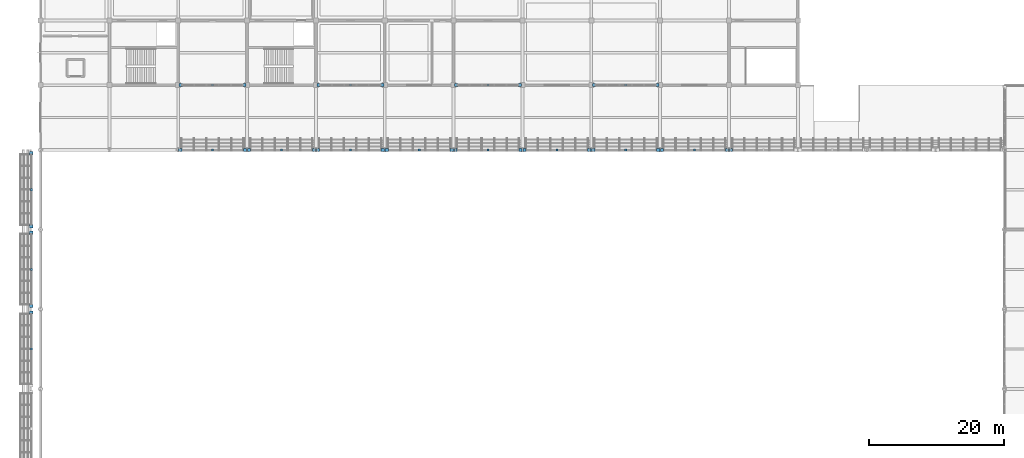
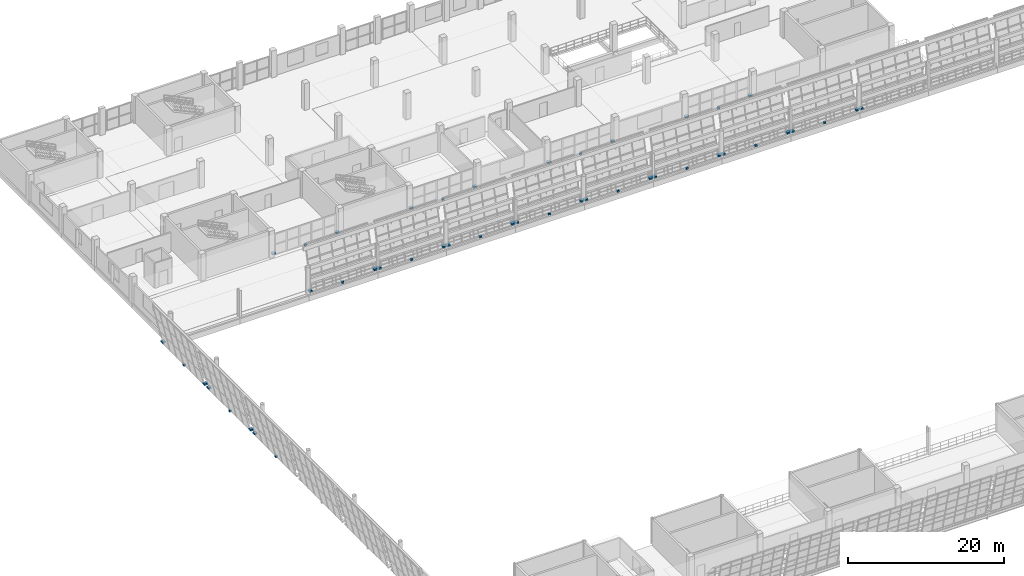
# One storey, part 138 of 157: 45 discrete accessories.
"""IFC4 building model written with IfcOpenShell, lengths in metres."""

from ifc_helpers import new_model, si_unit, direction, frame, origin, origin_2d, place, context, subcontext, project, spatial, rectangle, extrude, material, type_object, element, save


model = new_model("IFC4")

# Units and contexts
model_context = context("Model", 3, precision=1e-05, world=origin(), true_north=direction((0.0, 1.0)))
body_context = subcontext(model_context, "Body", "Model", "MODEL_VIEW")
ifc_project = project(units=[si_unit("LENGTHUNIT", "METRE"), si_unit("AREAUNIT", "SQUARE_METRE"), si_unit("VOLUMEUNIT", "CUBIC_METRE"), si_unit("PLANEANGLEUNIT", "RADIAN"), si_unit("MASSUNIT", "GRAM", prefix="KILO")], contexts=[model_context])

# Site, building, storey
site_placement = place(None, origin())
site = spatial("IfcSite", under=ifc_project, at=site_placement, CompositionType="ELEMENT")
building_placement = place(site_placement, origin())
building = spatial("IfcBuilding", under=site, at=building_placement, Name="Brelvane Convention Centre", CompositionType="ELEMENT")
storey_placement = place(building_placement, frame((0.0, 0.0, 10.800048828125)))
storey = spatial("IfcBuildingStorey", under=building, at=storey_placement, Name="L02", CompositionType="ELEMENT", Elevation=10.800048828125)

# Discrete accessories
ifc_material = material(Name="Steel E350 (350 MPa)", Category="steel")
discrete_accessory_type = type_object("IfcDiscreteAccessoryType", Name="Facade Outrigger Bracket BRK-02", PredefinedType="BRACKET", material=ifc_material)
discrete_accessory_1_placement = place(storey_placement, frame((-1.360107421875, 75.510009765625, 0.22998046875), z_axis=(0.0, 0.0, 1.0), x_axis=(1.0, 0.0, 0.0)))
element("IfcDiscreteAccessory", 1, at=discrete_accessory_1_placement, inside=storey, type_object=discrete_accessory_type, Name="Curtain Wall Anchor Bracket L02-HULL-W-L02-4-R", PredefinedType="BRACKET", context=body_context, shape_type="SweptSolid", body=[
    extrude(rectangle(XDim=0.47998046875, YDim=0.47998046875, at=origin_2d()), origin(), (0.0, 0.0, 1.0), 0.239990234375),
])
discrete_accessory_2_placement = place(storey_placement, frame((-1.360107421875, 70.10009765625, -0.14013671875), z_axis=(0.0, 0.0, 1.0), x_axis=(1.0, 0.0, 0.0)))
element("IfcDiscreteAccessory", 2, at=discrete_accessory_2_placement, inside=storey, type_object=discrete_accessory_type, Name="Curtain Wall Anchor Bracket L02-HULL-W-L02-4-B", PredefinedType="BRACKET", context=body_context, shape_type="SweptSolid", body=[
    extrude(rectangle(XDim=0.320068359375, YDim=0.320068359375, at=origin_2d()), origin(), (0.0, 0.0, 1.0), 0.280029296875),
])
for number, where, z_axis, x_axis, name in (
    (3, (-1.360107421875, 76.489990234375, 0.22998046875), (0.0, 0.0, 1.0), (1.0, 0.0, 0.0), "Curtain Wall Anchor Bracket L02-HULL-W-L02-5-L"),
    (4, (-1.360107421875, 87.31005859375, 0.22998046875), (0.0, 0.0, 1.0), (1.0, 0.0, 0.0), "Curtain Wall Anchor Bracket L02-HULL-W-L02-5-R"),
):
    element("IfcDiscreteAccessory", number, at=place(storey_placement, frame(where, z_axis=z_axis, x_axis=x_axis)), inside=storey, type_object=discrete_accessory_type, Name=name, PredefinedType="BRACKET", context=body_context, shape_type="SweptSolid", body=[
        extrude(rectangle(XDim=0.47998046875, YDim=0.47998046875, at=origin_2d()), origin(), (0.0, 0.0, 1.0), 0.239990234375),
    ])
discrete_accessory_3_placement = place(storey_placement, frame((-1.360107421875, 81.89990234375, -0.14013671875), z_axis=(0.0, 0.0, 1.0), x_axis=(1.0, 0.0, 0.0)))
element("IfcDiscreteAccessory", 5, at=discrete_accessory_3_placement, inside=storey, type_object=discrete_accessory_type, Name="Curtain Wall Anchor Bracket L02-HULL-W-L02-5-B", PredefinedType="BRACKET", context=body_context, shape_type="SweptSolid", body=[
    extrude(rectangle(XDim=0.320068359375, YDim=0.320068359375, at=origin_2d()), origin(), (0.0, 0.0, 1.0), 0.280029296875),
])
for number, where, z_axis, x_axis, name in (
    (6, (-1.360107421875, 88.2900390625, 0.22998046875), (0.0, 0.0, 1.0), (1.0, 0.0, 0.0), "Curtain Wall Anchor Bracket L02-HULL-W-L02-6-L"),
    (7, (-1.360107421875, 99.110107421875, 0.22998046875), (0.0, 0.0, 1.0), (1.0, 0.0, 0.0), "Curtain Wall Anchor Bracket L02-HULL-W-L02-6-R"),
):
    element("IfcDiscreteAccessory", number, at=place(storey_placement, frame(where, z_axis=z_axis, x_axis=x_axis)), inside=storey, type_object=discrete_accessory_type, Name=name, PredefinedType="BRACKET", context=body_context, shape_type="SweptSolid", body=[
        extrude(rectangle(XDim=0.47998046875, YDim=0.47998046875, at=origin_2d()), origin(), (0.0, 0.0, 1.0), 0.239990234375),
    ])
discrete_accessory_4_placement = place(storey_placement, frame((-1.360107421875, 93.699951171875, -0.14013671875), z_axis=(0.0, 0.0, 1.0), x_axis=(1.0, 0.0, 0.0)))
element("IfcDiscreteAccessory", 8, at=discrete_accessory_4_placement, inside=storey, type_object=discrete_accessory_type, Name="Curtain Wall Anchor Bracket L02-HULL-W-L02-6-B", PredefinedType="BRACKET", context=body_context, shape_type="SweptSolid", body=[
    extrude(rectangle(XDim=0.320068359375, YDim=0.320068359375, at=origin_2d()), origin(), (0.0, 0.0, 1.0), 0.280029296875),
])
for number, where, z_axis, x_axis, name in (
    (9, (20.68994140625, 99.60009765625, 0.22998046875), (0.0, 0.0, 1.0), (1.0, 0.0, 0.0), "Curtain Wall Anchor Bracket L02-V1N-HULL-03-L"),
    (10, (30.31005859375, 99.60009765625, 0.22998046875), (0.0, 0.0, 1.0), (1.0, 0.0, 0.0), "Curtain Wall Anchor Bracket L02-V1N-HULL-03-R"),
):
    element("IfcDiscreteAccessory", number, at=place(storey_placement, frame(where, z_axis=z_axis, x_axis=x_axis)), inside=storey, type_object=discrete_accessory_type, Name=name, PredefinedType="BRACKET", context=body_context, shape_type="SweptSolid", body=[
        extrude(rectangle(XDim=0.47998046875, YDim=0.47998046875, at=origin_2d()), origin(), (0.0, 0.0, 1.0), 0.239990234375),
    ])
discrete_accessory_5_placement = place(storey_placement, frame((25.5, 99.60009765625, -0.14013671875), z_axis=(0.0, 0.0, 1.0), x_axis=(1.0, 0.0, 0.0)))
element("IfcDiscreteAccessory", 11, at=discrete_accessory_5_placement, inside=storey, type_object=discrete_accessory_type, Name="Curtain Wall Anchor Bracket L02-V1N-HULL-03-B", PredefinedType="BRACKET", context=body_context, shape_type="SweptSolid", body=[
    extrude(rectangle(XDim=0.320068359375, YDim=0.320068359375, at=origin_2d()), origin(), (0.0, 0.0, 1.0), 0.280029296875),
])
for number, where, z_axis, x_axis, name in (
    (12, (30.889892578125, 99.60009765625, 0.22998046875), (0.0, 0.0, 1.0), (1.0, 0.0, 0.0), "Curtain Wall Anchor Bracket L02-V1N-HULL-04-L"),
    (13, (40.510009765625, 99.60009765625, 0.22998046875), (0.0, 0.0, 1.0), (1.0, 0.0, 0.0), "Curtain Wall Anchor Bracket L02-V1N-HULL-04-R"),
):
    element("IfcDiscreteAccessory", number, at=place(storey_placement, frame(where, z_axis=z_axis, x_axis=x_axis)), inside=storey, type_object=discrete_accessory_type, Name=name, PredefinedType="BRACKET", context=body_context, shape_type="SweptSolid", body=[
        extrude(rectangle(XDim=0.47998046875, YDim=0.47998046875, at=origin_2d()), origin(), (0.0, 0.0, 1.0), 0.239990234375),
    ])
discrete_accessory_6_placement = place(storey_placement, frame((35.699951171875, 99.60009765625, -0.14013671875), z_axis=(0.0, 0.0, 1.0), x_axis=(1.0, 0.0, 0.0)))
element("IfcDiscreteAccessory", 14, at=discrete_accessory_6_placement, inside=storey, type_object=discrete_accessory_type, Name="Curtain Wall Anchor Bracket L02-V1N-HULL-04-B", PredefinedType="BRACKET", context=body_context, shape_type="SweptSolid", body=[
    extrude(rectangle(XDim=0.320068359375, YDim=0.320068359375, at=origin_2d()), origin(), (0.0, 0.0, 1.0), 0.280029296875),
])
for number, where, z_axis, x_axis, name in (
    (15, (41.090087890625, 99.60009765625, 0.22998046875), (0.0, 0.0, 1.0), (1.0, 0.0, 0.0), "Curtain Wall Anchor Bracket L02-V1N-HULL-05-L"),
    (16, (50.7099609375, 99.60009765625, 0.22998046875), (0.0, 0.0, 1.0), (1.0, 0.0, 0.0), "Curtain Wall Anchor Bracket L02-V1N-HULL-05-R"),
):
    element("IfcDiscreteAccessory", number, at=place(storey_placement, frame(where, z_axis=z_axis, x_axis=x_axis)), inside=storey, type_object=discrete_accessory_type, Name=name, PredefinedType="BRACKET", context=body_context, shape_type="SweptSolid", body=[
        extrude(rectangle(XDim=0.47998046875, YDim=0.47998046875, at=origin_2d()), origin(), (0.0, 0.0, 1.0), 0.239990234375),
    ])
discrete_accessory_7_placement = place(storey_placement, frame((45.89990234375, 99.60009765625, -0.14013671875), z_axis=(0.0, 0.0, 1.0), x_axis=(1.0, 0.0, 0.0)))
element("IfcDiscreteAccessory", 17, at=discrete_accessory_7_placement, inside=storey, type_object=discrete_accessory_type, Name="Curtain Wall Anchor Bracket L02-V1N-HULL-05-B", PredefinedType="BRACKET", context=body_context, shape_type="SweptSolid", body=[
    extrude(rectangle(XDim=0.320068359375, YDim=0.320068359375, at=origin_2d()), origin(), (0.0, 0.0, 1.0), 0.280029296875),
])
for number, where, z_axis, x_axis, name in (
    (18, (51.2900390625, 99.60009765625, 0.22998046875), (0.0, 0.0, 1.0), (1.0, 0.0, 0.0), "Curtain Wall Anchor Bracket L02-V1N-HULL-06-L"),
    (19, (60.909912109375, 99.60009765625, 0.22998046875), (0.0, 0.0, 1.0), (1.0, 0.0, 0.0), "Curtain Wall Anchor Bracket L02-V1N-HULL-06-R"),
):
    element("IfcDiscreteAccessory", number, at=place(storey_placement, frame(where, z_axis=z_axis, x_axis=x_axis)), inside=storey, type_object=discrete_accessory_type, Name=name, PredefinedType="BRACKET", context=body_context, shape_type="SweptSolid", body=[
        extrude(rectangle(XDim=0.47998046875, YDim=0.47998046875, at=origin_2d()), origin(), (0.0, 0.0, 1.0), 0.239990234375),
    ])
discrete_accessory_8_placement = place(storey_placement, frame((56.10009765625, 99.60009765625, -0.14013671875), z_axis=(0.0, 0.0, 1.0), x_axis=(1.0, 0.0, 0.0)))
element("IfcDiscreteAccessory", 20, at=discrete_accessory_8_placement, inside=storey, type_object=discrete_accessory_type, Name="Curtain Wall Anchor Bracket L02-V1N-HULL-06-B", PredefinedType="BRACKET", context=body_context, shape_type="SweptSolid", body=[
    extrude(rectangle(XDim=0.320068359375, YDim=0.320068359375, at=origin_2d()), origin(), (0.0, 0.0, 1.0), 0.280029296875),
])
for number, where, z_axis, x_axis, name in (
    (21, (61.489990234375, 99.60009765625, 0.22998046875), (0.0, 0.0, 1.0), (1.0, 0.0, 0.0), "Curtain Wall Anchor Bracket L02-V1N-HULL-07-L"),
    (22, (71.110107421875, 99.60009765625, 0.22998046875), (0.0, 0.0, 1.0), (1.0, 0.0, 0.0), "Curtain Wall Anchor Bracket L02-V1N-HULL-07-R"),
):
    element("IfcDiscreteAccessory", number, at=place(storey_placement, frame(where, z_axis=z_axis, x_axis=x_axis)), inside=storey, type_object=discrete_accessory_type, Name=name, PredefinedType="BRACKET", context=body_context, shape_type="SweptSolid", body=[
        extrude(rectangle(XDim=0.47998046875, YDim=0.47998046875, at=origin_2d()), origin(), (0.0, 0.0, 1.0), 0.239990234375),
    ])
discrete_accessory_9_placement = place(storey_placement, frame((66.300048828125, 99.60009765625, -0.14013671875), z_axis=(0.0, 0.0, 1.0), x_axis=(1.0, 0.0, 0.0)))
element("IfcDiscreteAccessory", 23, at=discrete_accessory_9_placement, inside=storey, type_object=discrete_accessory_type, Name="Curtain Wall Anchor Bracket L02-V1N-HULL-07-B", PredefinedType="BRACKET", context=body_context, shape_type="SweptSolid", body=[
    extrude(rectangle(XDim=0.320068359375, YDim=0.320068359375, at=origin_2d()), origin(), (0.0, 0.0, 1.0), 0.280029296875),
])
for number, where, z_axis, x_axis, name in (
    (24, (71.68994140625, 99.60009765625, 0.22998046875), (0.0, 0.0, 1.0), (1.0, 0.0, 0.0), "Curtain Wall Anchor Bracket L02-V1N-HULL-08-L"),
    (25, (81.31005859375, 99.60009765625, 0.22998046875), (0.0, 0.0, 1.0), (1.0, 0.0, 0.0), "Curtain Wall Anchor Bracket L02-V1N-HULL-08-R"),
):
    element("IfcDiscreteAccessory", number, at=place(storey_placement, frame(where, z_axis=z_axis, x_axis=x_axis)), inside=storey, type_object=discrete_accessory_type, Name=name, PredefinedType="BRACKET", context=body_context, shape_type="SweptSolid", body=[
        extrude(rectangle(XDim=0.47998046875, YDim=0.47998046875, at=origin_2d()), origin(), (0.0, 0.0, 1.0), 0.239990234375),
    ])
discrete_accessory_10_placement = place(storey_placement, frame((76.5, 99.60009765625, -0.14013671875), z_axis=(0.0, 0.0, 1.0), x_axis=(1.0, 0.0, 0.0)))
element("IfcDiscreteAccessory", 26, at=discrete_accessory_10_placement, inside=storey, type_object=discrete_accessory_type, Name="Curtain Wall Anchor Bracket L02-V1N-HULL-08-B", PredefinedType="BRACKET", context=body_context, shape_type="SweptSolid", body=[
    extrude(rectangle(XDim=0.320068359375, YDim=0.320068359375, at=origin_2d()), origin(), (0.0, 0.0, 1.0), 0.280029296875),
])
for number, where, z_axis, x_axis, name in (
    (27, (81.889892578125, 99.60009765625, 0.22998046875), (0.0, 0.0, 1.0), (1.0, 0.0, 0.0), "Curtain Wall Anchor Bracket L02-V1N-HULL-09-L"),
    (28, (91.510009765625, 99.60009765625, 0.22998046875), (0.0, 0.0, 1.0), (1.0, 0.0, 0.0), "Curtain Wall Anchor Bracket L02-V1N-HULL-09-R"),
):
    element("IfcDiscreteAccessory", number, at=place(storey_placement, frame(where, z_axis=z_axis, x_axis=x_axis)), inside=storey, type_object=discrete_accessory_type, Name=name, PredefinedType="BRACKET", context=body_context, shape_type="SweptSolid", body=[
        extrude(rectangle(XDim=0.47998046875, YDim=0.47998046875, at=origin_2d()), origin(), (0.0, 0.0, 1.0), 0.239990234375),
    ])
discrete_accessory_11_placement = place(storey_placement, frame((86.699951171875, 99.60009765625, -0.14013671875), z_axis=(0.0, 0.0, 1.0), x_axis=(1.0, 0.0, 0.0)))
element("IfcDiscreteAccessory", 29, at=discrete_accessory_11_placement, inside=storey, type_object=discrete_accessory_type, Name="Curtain Wall Anchor Bracket L02-V1N-HULL-09-B", PredefinedType="BRACKET", context=body_context, shape_type="SweptSolid", body=[
    extrude(rectangle(XDim=0.320068359375, YDim=0.320068359375, at=origin_2d()), origin(), (0.0, 0.0, 1.0), 0.280029296875),
])
for number, where, z_axis, x_axis, name in (
    (30, (92.090087890625, 99.60009765625, 0.22998046875), (0.0, 0.0, 1.0), (1.0, 0.0, 0.0), "Curtain Wall Anchor Bracket L02-V1N-HULL-10-L"),
    (31, (101.7099609375, 99.60009765625, 0.22998046875), (0.0, 0.0, 1.0), (1.0, 0.0, 0.0), "Curtain Wall Anchor Bracket L02-V1N-HULL-10-R"),
):
    element("IfcDiscreteAccessory", number, at=place(storey_placement, frame(where, z_axis=z_axis, x_axis=x_axis)), inside=storey, type_object=discrete_accessory_type, Name=name, PredefinedType="BRACKET", context=body_context, shape_type="SweptSolid", body=[
        extrude(rectangle(XDim=0.47998046875, YDim=0.47998046875, at=origin_2d()), origin(), (0.0, 0.0, 1.0), 0.239990234375),
    ])
discrete_accessory_12_placement = place(storey_placement, frame((96.89990234375, 99.60009765625, -0.14013671875), z_axis=(0.0, 0.0, 1.0), x_axis=(1.0, 0.0, 0.0)))
element("IfcDiscreteAccessory", 32, at=discrete_accessory_12_placement, inside=storey, type_object=discrete_accessory_type, Name="Curtain Wall Anchor Bracket L02-V1N-HULL-10-B", PredefinedType="BRACKET", context=body_context, shape_type="SweptSolid", body=[
    extrude(rectangle(XDim=0.320068359375, YDim=0.320068359375, at=origin_2d()), origin(), (0.0, 0.0, 1.0), 0.280029296875),
])
for number, where, z_axis, x_axis, name in (
    (33, (102.2900390625, 99.60009765625, 0.22998046875), (0.0, 0.0, 1.0), (1.0, 0.0, 0.0), "Curtain Wall Anchor Bracket L02-V1N-HULL-11-L"),
    (34, (20.7900390625, 109.199951171875, 0.22998046875), (0.0, 0.0, 1.0), (1.0, 0.0, 0.0), "Curtain Wall Anchor Bracket L02-V4S-03-L"),
    (35, (30.2099609375, 109.199951171875, 0.22998046875), (0.0, 0.0, 1.0), (1.0, 0.0, 0.0), "Curtain Wall Anchor Bracket L02-V4S-03-R"),
):
    element("IfcDiscreteAccessory", number, at=place(storey_placement, frame(where, z_axis=z_axis, x_axis=x_axis)), inside=storey, type_object=discrete_accessory_type, Name=name, PredefinedType="BRACKET", context=body_context, shape_type="SweptSolid", body=[
        extrude(rectangle(XDim=0.47998046875, YDim=0.47998046875, at=origin_2d()), origin(), (0.0, 0.0, 1.0), 0.239990234375),
    ])
discrete_accessory_13_placement = place(storey_placement, frame((25.5, 109.199951171875, -0.14013671875), z_axis=(0.0, 0.0, 1.0), x_axis=(1.0, 0.0, 0.0)))
element("IfcDiscreteAccessory", 36, at=discrete_accessory_13_placement, inside=storey, type_object=discrete_accessory_type, Name="Curtain Wall Anchor Bracket L02-V4S-03-B", PredefinedType="BRACKET", context=body_context, shape_type="SweptSolid", body=[
    extrude(rectangle(XDim=0.320068359375, YDim=0.320068359375, at=origin_2d()), origin(), (0.0, 0.0, 1.0), 0.280029296875),
])
for number, where, z_axis, x_axis, name in (
    (37, (41.18994140625, 109.199951171875, 0.22998046875), (0.0, 0.0, 1.0), (1.0, 0.0, 0.0), "Curtain Wall Anchor Bracket L02-V4S-05-L"),
    (38, (50.610107421875, 109.199951171875, 0.22998046875), (0.0, 0.0, 1.0), (1.0, 0.0, 0.0), "Curtain Wall Anchor Bracket L02-V4S-05-R"),
):
    element("IfcDiscreteAccessory", number, at=place(storey_placement, frame(where, z_axis=z_axis, x_axis=x_axis)), inside=storey, type_object=discrete_accessory_type, Name=name, PredefinedType="BRACKET", context=body_context, shape_type="SweptSolid", body=[
        extrude(rectangle(XDim=0.47998046875, YDim=0.47998046875, at=origin_2d()), origin(), (0.0, 0.0, 1.0), 0.239990234375),
    ])
discrete_accessory_14_placement = place(storey_placement, frame((45.89990234375, 109.199951171875, -0.14013671875), z_axis=(0.0, 0.0, 1.0), x_axis=(1.0, 0.0, 0.0)))
element("IfcDiscreteAccessory", 39, at=discrete_accessory_14_placement, inside=storey, type_object=discrete_accessory_type, Name="Curtain Wall Anchor Bracket L02-V4S-05-B", PredefinedType="BRACKET", context=body_context, shape_type="SweptSolid", body=[
    extrude(rectangle(XDim=0.320068359375, YDim=0.320068359375, at=origin_2d()), origin(), (0.0, 0.0, 1.0), 0.280029296875),
])
for number, where, z_axis, x_axis, name in (
    (40, (61.590087890625, 109.199951171875, 0.22998046875), (0.0, 0.0, 1.0), (1.0, 0.0, 0.0), "Curtain Wall Anchor Bracket L02-V4S-07-L"),
    (41, (71.010009765625, 109.199951171875, 0.22998046875), (0.0, 0.0, 1.0), (1.0, 0.0, 0.0), "Curtain Wall Anchor Bracket L02-V4S-07-R"),
):
    element("IfcDiscreteAccessory", number, at=place(storey_placement, frame(where, z_axis=z_axis, x_axis=x_axis)), inside=storey, type_object=discrete_accessory_type, Name=name, PredefinedType="BRACKET", context=body_context, shape_type="SweptSolid", body=[
        extrude(rectangle(XDim=0.47998046875, YDim=0.47998046875, at=origin_2d()), origin(), (0.0, 0.0, 1.0), 0.239990234375),
    ])
discrete_accessory_15_placement = place(storey_placement, frame((66.300048828125, 109.199951171875, -0.14013671875), z_axis=(0.0, 0.0, 1.0), x_axis=(1.0, 0.0, 0.0)))
element("IfcDiscreteAccessory", 42, at=discrete_accessory_15_placement, inside=storey, type_object=discrete_accessory_type, Name="Curtain Wall Anchor Bracket L02-V4S-07-B", PredefinedType="BRACKET", context=body_context, shape_type="SweptSolid", body=[
    extrude(rectangle(XDim=0.320068359375, YDim=0.320068359375, at=origin_2d()), origin(), (0.0, 0.0, 1.0), 0.280029296875),
])
for number, where, z_axis, x_axis, name in (
    (43, (81.989990234375, 109.199951171875, 0.22998046875), (0.0, 0.0, 1.0), (1.0, 0.0, 0.0), "Curtain Wall Anchor Bracket L02-V4S-09-L"),
    (44, (91.409912109375, 109.199951171875, 0.22998046875), (0.0, 0.0, 1.0), (1.0, 0.0, 0.0), "Curtain Wall Anchor Bracket L02-V4S-09-R"),
):
    element("IfcDiscreteAccessory", number, at=place(storey_placement, frame(where, z_axis=z_axis, x_axis=x_axis)), inside=storey, type_object=discrete_accessory_type, Name=name, PredefinedType="BRACKET", context=body_context, shape_type="SweptSolid", body=[
        extrude(rectangle(XDim=0.47998046875, YDim=0.47998046875, at=origin_2d()), origin(), (0.0, 0.0, 1.0), 0.239990234375),
    ])
discrete_accessory_16_placement = place(storey_placement, frame((86.699951171875, 109.199951171875, -0.14013671875), z_axis=(0.0, 0.0, 1.0), x_axis=(1.0, 0.0, 0.0)))
element("IfcDiscreteAccessory", 45, at=discrete_accessory_16_placement, inside=storey, type_object=discrete_accessory_type, Name="Curtain Wall Anchor Bracket L02-V4S-09-B", PredefinedType="BRACKET", context=body_context, shape_type="SweptSolid", body=[
    extrude(rectangle(XDim=0.320068359375, YDim=0.320068359375, at=origin_2d()), origin(), (0.0, 0.0, 1.0), 0.280029296875),
])

save(model, "model.ifc")
